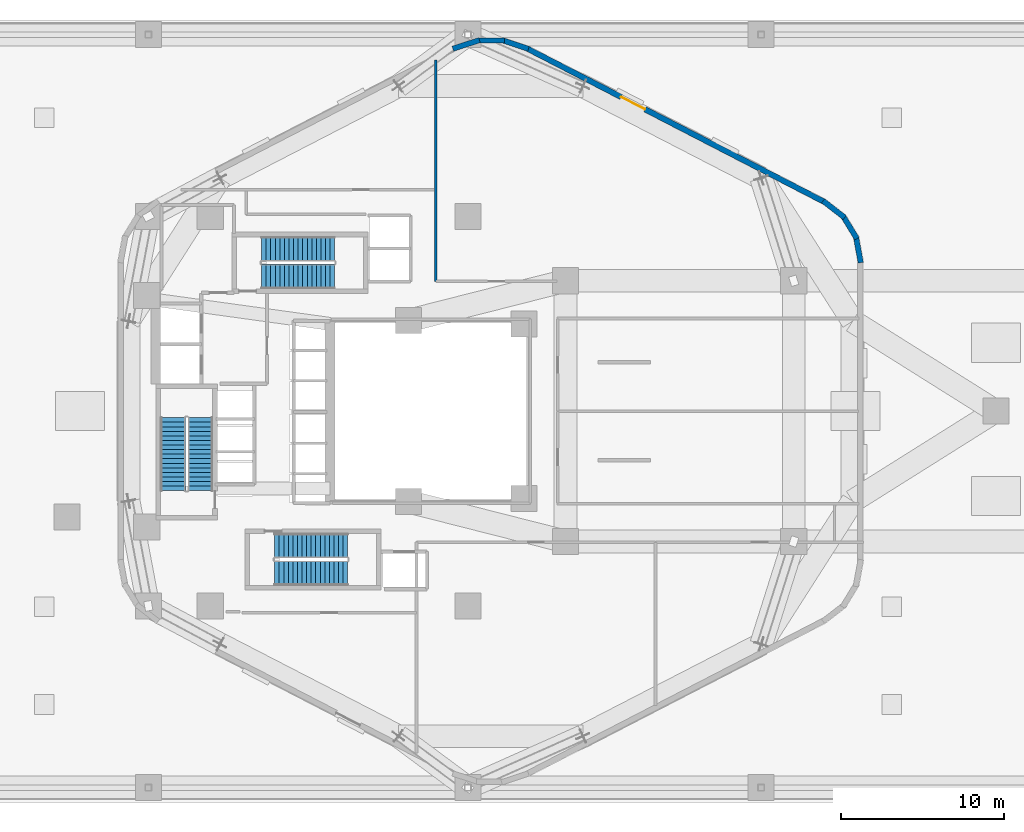
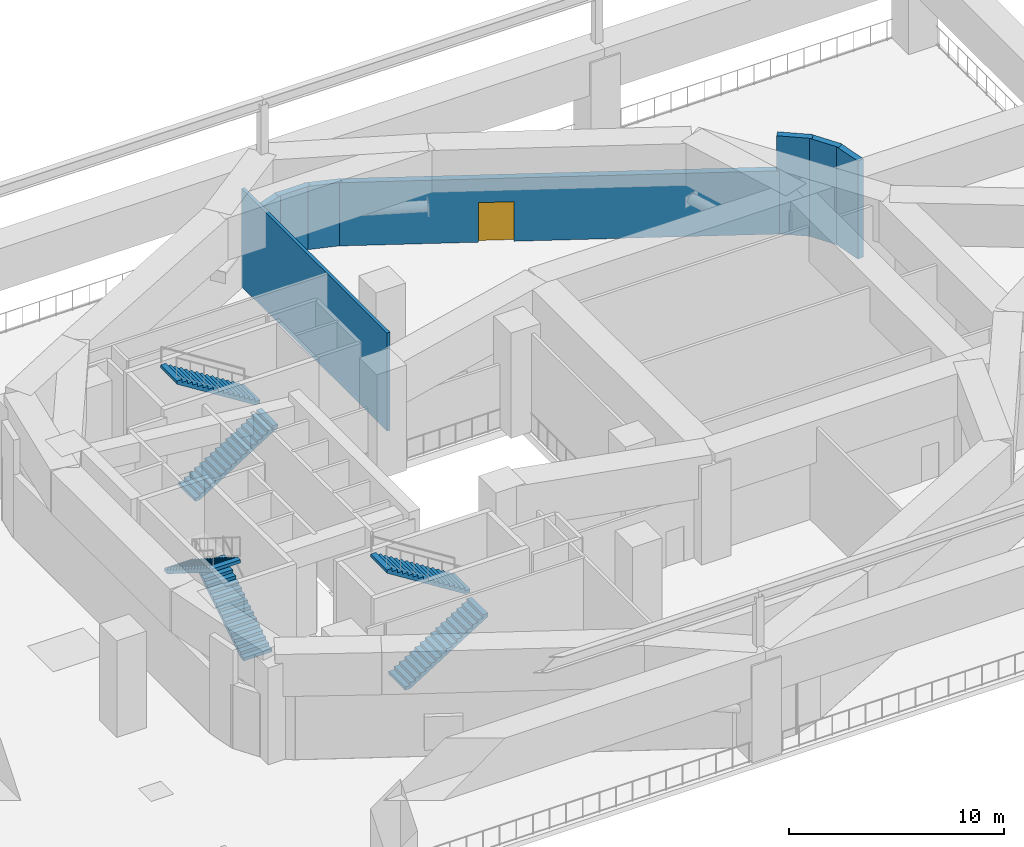
# One storey, part 11 of 15: 8 walls, 6 stair flights, 1 door, 1 opening, 3 elements without a shape of their own.
"""IFC4 building model written with IfcOpenShell, lengths in metres."""

from ifc_helpers import new_model, si_unit, direction, frame, frame_2d, origin, place, context, subcontext, project, spatial, polyline, rectangle, outline, extrude, material, layer, layer_set, type_object, element, fill, aggregate, save


model = new_model("IFC4")

# Units and contexts
model_context = context("Model", 3, precision=1e-05, world=origin(), true_north=direction((0.0, 1.0)))
body_context = subcontext(model_context, "Body", "Model", "MODEL_VIEW")
ifc_project = project(units=[si_unit("LENGTHUNIT", "METRE"), si_unit("AREAUNIT", "SQUARE_METRE"), si_unit("VOLUMEUNIT", "CUBIC_METRE"), si_unit("PLANEANGLEUNIT", "RADIAN"), si_unit("MASSUNIT", "GRAM", prefix="KILO"), si_unit("THERMODYNAMICTEMPERATUREUNIT", "KELVIN"), si_unit("POWERUNIT", "WATT")], contexts=[model_context])

# Site, building, storey
site_placement = place(None, origin())
site = spatial("IfcSite", under=ifc_project, at=site_placement, CompositionType="ELEMENT")
building_placement = place(site_placement, origin())
building = spatial("IfcBuilding", under=site, at=building_placement, Name="Skarre Station Tower", CompositionType="ELEMENT")
storey_placement = place(building_placement, frame((0.0, 0.0, 21.0)))
storey = spatial("IfcBuildingStorey", under=building, at=storey_placement, Name="L05", CompositionType="ELEMENT", Elevation=21.0)

# Wall, opening, door
ifc_material_1 = material(Name="Precast concrete C45/55", Category="concrete")
ifc_layer_1 = layer(ifc_material_1, 0.340087890625, Name="Precast concrete C45/55")
ifc_layer_set_1 = layer_set([ifc_layer_1], Name="Precast concrete C45/55")
wall_type_1 = type_object("IfcWallType", Name="Nordic Honed Precast Facet Wall 340", PredefinedType="STANDARD", material=ifc_layer_set_1)
wall_1_placement = place(storey_placement, frame((39.631103515625, 46.257080078125, 0.0), z_axis=(0.0, 0.0, 1.0), x_axis=(0.888634413993, -0.458616264721, 0.0)))
wall_1 = element("IfcWall", 1, at=wall_1_placement, inside=storey, type_object=wall_type_1, Name="L05 Facet 0 Nordic Precast Masonry Wall", PredefinedType="STANDARD", context=body_context, shape_type="SweptSolid", body=[
    extrude(rectangle(XDim=20.53125, YDim=0.340087890625, at=frame_2d((10.265625, 0.0))), origin(), (0.0, 0.0, 1.0), 3.60009765625),
])
opening_placement = place(wall_1_placement, frame((6.5, 0.0, 0.0)))
opening = element("IfcOpeningElement", 2, at=opening_placement, cuts=wall_1, Name="Opening DR-SGD165", PredefinedType="OPENING", context=body_context, shape_type="SweptSolid", body=[
    extrude(rectangle(XDim=1.64990234375, YDim=2.25, at=frame_2d((0.824951171875, 1.125))), frame((0.0, 0.179931640625, 0.0), z_axis=(0.0, -1.0, 0.0), x_axis=(1.0, 0.0, 0.0)), (0.0, 0.0, 1.0), 0.360107421875),
])
ifc_material_2 = material(Name="Thermally Broken Aluminium & Triple Glazing", Category="aluminium")
door_type = type_object("IfcDoorType", Name="Sky-Garden Double Glazed Terrace Door 1650x2250", OperationType="DOUBLE_DOOR_SINGLE_SWING", PredefinedType="DOOR", material=ifc_material_2)
door_placement = place(opening_placement, origin())
door = element("IfcDoor", 3, at=door_placement, inside=storey, type_object=door_type, Name="L05 Podium Roof Garden Terrace Access Door E", OperationType="SINGLE_SWING_LEFT", OverallHeight=2.25, OverallWidth=1.64990234375, PredefinedType="DOOR", context=body_context, shape_type="SweptSolid", body=[
    extrude(rectangle(XDim=1.64990234375, YDim=2.25, at=frame_2d((0.824951171875, 1.125))), frame((0.0, 0.02490234375, 0.0), z_axis=(0.0, -1.0, 0.0), x_axis=(1.0, 0.0, 0.0)), (0.0, 0.0, 1.0), 0.050048828125),
])
fill(opening, door)

# Walls
ifc_layer_2 = layer(ifc_material_1, 0.330078125, Name="Precast concrete C45/55")
ifc_layer_set_2 = layer_set([ifc_layer_2], Name="Precast concrete C45/55")
wall_type_2 = type_object("IfcWallType", Name="Nordic Rounded Corner Precast Wall 330", PredefinedType="STANDARD", material=ifc_layer_set_2)
wall_2_placement = place(storey_placement, frame((57.802001953125, 36.90087890625, 0.0), z_axis=(0.0, 0.0, 1.0), x_axis=(0.790691856293, -0.61221433207, 0.0)))
element("IfcWall", 4, at=wall_2_placement, inside=storey, type_object=wall_type_2, Name="L05 Rounded Corner Precast Wall F0-1", PredefinedType="STANDARD", context=body_context, shape_type="SweptSolid", body=[
    extrude(rectangle(XDim=1.67578125, YDim=0.330078125, at=frame_2d((0.837890625, 0.0))), origin(), (0.0, 0.0, 1.0), 5.580078125),
])
wall_3_placement = place(storey_placement, frame((59.001953125, 36.014892578125, 0.0), z_axis=(0.0, 0.0, 1.0), x_axis=(0.520584129191, -0.853810379671, 0.0)))
element("IfcWall", 5, at=wall_3_placement, inside=storey, type_object=wall_type_2, Name="L05 Rounded Corner Precast Wall F0-2", PredefinedType="STANDARD", context=body_context, shape_type="SweptSolid", body=[
    extrude(rectangle(XDim=1.677001953125, YDim=0.330078125, at=frame_2d((0.83837890625, 0.0))), origin(), (0.0, 0.0, 1.0), 5.580078125),
])
wall_4_placement = place(storey_placement, frame((59.80810546875, 34.758056640625, 0.0), z_axis=(0.0, 0.0, 1.0), x_axis=(0.181714143354, -0.983351397063, 0.0)))
element("IfcWall", 6, at=wall_4_placement, inside=storey, type_object=wall_type_2, Name="L05 Rounded Corner Precast Wall F0-3", PredefinedType="STANDARD", context=body_context, shape_type="SweptSolid", body=[
    extrude(rectangle(XDim=1.677978515625, YDim=0.330078125, at=frame_2d((0.8388671875, 0.0))), origin(), (0.0, 0.0, 1.0), 5.580078125),
])
wall_5_placement = place(storey_placement, frame((35.0810546875, 46.23095703125, 0.0), z_axis=(0.0, 0.0, 1.0), x_axis=(0.94976901097, 0.312951794691, 0.0)))
element("IfcWall", 7, at=wall_5_placement, inside=storey, type_object=wall_type_2, Name="L05 Rounded Corner Precast Wall F1-1", PredefinedType="STANDARD", context=body_context, shape_type="SweptSolid", body=[
    extrude(rectangle(XDim=1.722412109375, YDim=0.330078125, at=frame_2d((0.861328125, 0.0))), origin(), (0.0, 0.0, 1.0), 3.60009765625),
])
wall_6_placement = place(storey_placement, frame((36.5390625, 46.740966796875, 0.0), z_axis=(0.0, 0.0, 1.0), x_axis=(1.0, 0.0, 0.0)))
element("IfcWall", 8, at=wall_6_placement, inside=storey, type_object=wall_type_2, Name="L05 Rounded Corner Precast Wall F1-2", PredefinedType="STANDARD", context=body_context, shape_type="SweptSolid", body=[
    extrude(rectangle(XDim=1.721923828125, YDim=0.330078125, at=frame_2d((0.86083984375, 0.0))), origin(), (0.0, 0.0, 1.0), 3.60009765625),
])
wall_7_placement = place(storey_placement, frame((38.0830078125, 46.77001953125, 0.0), z_axis=(0.0, 0.0, 1.0), x_axis=(0.94976901097, -0.312951794691, 0.0)))
element("IfcWall", 9, at=wall_7_placement, inside=storey, type_object=wall_type_2, Name="L05 Rounded Corner Precast Wall F1-3", PredefinedType="STANDARD", context=body_context, shape_type="SweptSolid", body=[
    extrude(rectangle(XDim=1.722412109375, YDim=0.330078125, at=frame_2d((0.861328125, 0.0))), origin(), (0.0, 0.0, 1.0), 3.60009765625),
])
ifc_material_3 = material(Name="Acoustic Steel-Stud Gypsum Partition", Category="steel")
ifc_layer_3 = layer(ifc_material_3, 0.1650390625, Name="Acoustic Steel-Stud Gypsum Partition")
ifc_layer_set_3 = layer_set([ifc_layer_3], Name="Acoustic Steel-Stud Gypsum Partition")
wall_type_3 = type_object("IfcWallType", Name="Suite Demising Acoustic Partition 165", PredefinedType="PARTITIONING", material=ifc_layer_set_3)
wall_8_placement = place(storey_placement, frame((34.0400390625, 31.9599609375, 0.0), z_axis=(0.0, 0.0, 1.0), x_axis=(0.0, 1.0, 0.0)))
element("IfcWall", 10, at=wall_8_placement, inside=storey, type_object=wall_type_3, Name="L05 Interior Partition WL-PT-L05-PLTN-WBND", PredefinedType="PARTITIONING", context=body_context, shape_type="SweptSolid", body=[
    extrude(rectangle(XDim=13.5791015625, YDim=0.1650390625, at=frame_2d((6.78955078125, 0.0))), origin(), (0.0, 0.0, 1.0), 5.580078125),
])

# Stair, stair flights
ifc_material_4 = material(Name="Concrete C40/50", Category="concrete")
stair_type_1 = type_object("IfcStairType", Name="Reinforced Concrete Exit Stair ST-1", PredefinedType="HALF_TURN_STAIR", material=ifc_material_4)
stair_1_placement = place(storey_placement, origin())
stair_1 = element("IfcStair", 11, at=stair_1_placement, inside=storey, type_object=stair_type_1, Name="L05 Core Exit Stair ST-1", PredefinedType="HALF_TURN_STAIR")
stair_flight_type_1 = type_object("IfcStairFlightType", Name="Reinforced Concrete Stair Flight ST-1", PredefinedType="STRAIGHT", material=ifc_material_4)
stair_flight_1_placement = place(storey_placement, frame((19.590087890625, 19.1201171875, 0.0), z_axis=(0.0, 0.0, 1.0), x_axis=(0.0, 1.0, 0.0)))
stair_flight_1 = element("IfcStairFlight", 12, at=stair_flight_1_placement, type_object=stair_flight_type_1, Name="ST-1 flight 1", NumberOfRisers=17, NumberOfTreads=16, PredefinedType="STRAIGHT", RiserHeight=0.176470588, TreadLength=0.28, context=body_context, shape_type="SweptSolid", body=[
    extrude(outline(polyline([(0.0, 0.0), (0.0, 0.176513671875), (0.280029296875, 0.176513671875), (0.280029296875, 0.35302734375), (0.56005859375, 0.35302734375), (0.56005859375, 0.529296875), (0.840087890625, 0.529296875), (0.840087890625, 0.705810546875), (1.1201171875, 0.705810546875), (1.1201171875, 0.88232421875), (1.39990234375, 0.88232421875), (1.39990234375, 1.058837890625), (1.679931640625, 1.058837890625), (1.679931640625, 1.2353515625), (1.9599609375, 1.2353515625), (1.9599609375, 1.411865234375), (2.239990234375, 1.411865234375), (2.239990234375, 1.588134765625), (2.52001953125, 1.588134765625), (2.52001953125, 1.7646484375), (2.800048828125, 1.7646484375), (2.800048828125, 1.941162109375), (3.080078125, 1.941162109375), (3.080078125, 2.11767578125), (3.360107421875, 2.11767578125), (3.360107421875, 2.294189453125), (3.639892578125, 2.294189453125), (3.639892578125, 2.470703125), (3.919921875, 2.470703125), (3.919921875, 2.64697265625), (4.199951171875, 2.64697265625), (4.199951171875, 2.823486328125), (4.47998046875, 2.823486328125), (4.47998046875, 3.0), (4.47998046875, 2.646240234375), (0.28125, 0.0), (0.0, 0.0)])), frame((0.0, 0.760009765625, 0.0), z_axis=(0.0, -1.0, 0.0), x_axis=(1.0, 0.0, 0.0)), (0.0, 0.0, 1.0), 1.52001953125),
])
stair_flight_2_placement = place(storey_placement, frame((17.909912109375, 23.60009765625, 3.0), z_axis=(0.0, 0.0, 1.0), x_axis=(0.0, -1.0, 0.0)))
stair_flight_2 = element("IfcStairFlight", 13, at=stair_flight_2_placement, type_object=stair_flight_type_1, Name="ST-1 flight 2", NumberOfRisers=17, NumberOfTreads=16, PredefinedType="STRAIGHT", RiserHeight=0.176470588, TreadLength=0.28, context=body_context, shape_type="SweptSolid", body=[
    extrude(outline(polyline([(0.0, 0.0), (0.0, 0.176513671875), (0.280029296875, 0.176513671875), (0.280029296875, 0.35302734375), (0.56005859375, 0.35302734375), (0.56005859375, 0.529296875), (0.840087890625, 0.529296875), (0.840087890625, 0.705810546875), (1.1201171875, 0.705810546875), (1.1201171875, 0.88232421875), (1.39990234375, 0.88232421875), (1.39990234375, 1.058837890625), (1.679931640625, 1.058837890625), (1.679931640625, 1.2353515625), (1.9599609375, 1.2353515625), (1.9599609375, 1.411865234375), (2.239990234375, 1.411865234375), (2.239990234375, 1.588134765625), (2.52001953125, 1.588134765625), (2.52001953125, 1.7646484375), (2.800048828125, 1.7646484375), (2.800048828125, 1.941162109375), (3.080078125, 1.941162109375), (3.080078125, 2.11767578125), (3.360107421875, 2.11767578125), (3.360107421875, 2.294189453125), (3.639892578125, 2.294189453125), (3.639892578125, 2.470703125), (3.919921875, 2.470703125), (3.919921875, 2.64697265625), (4.199951171875, 2.64697265625), (4.199951171875, 2.823486328125), (4.47998046875, 2.823486328125), (4.47998046875, 3.0), (4.47998046875, 2.646240234375), (0.28125, 0.0), (0.0, 0.0)])), frame((0.0, 0.760009765625, 0.0), z_axis=(0.0, -1.0, 0.0), x_axis=(1.0, 0.0, 0.0)), (0.0, 0.0, 1.0), 1.52001953125),
])
aggregate(stair_1, [stair_flight_1, stair_flight_2])

stair_type_2 = type_object("IfcStairType", Name="Reinforced Concrete Exit Stair ST-2", PredefinedType="HALF_TURN_STAIR", material=ifc_material_4)
stair_2_placement = place(storey_placement, origin())
stair_2 = element("IfcStair", 14, at=stair_2_placement, inside=storey, type_object=stair_type_2, Name="L05 Core Exit Stair ST-2", PredefinedType="HALF_TURN_STAIR")
stair_flight_type_2 = type_object("IfcStairFlightType", Name="Reinforced Concrete Stair Flight ST-2", PredefinedType="STRAIGHT", material=ifc_material_4)
stair_flight_3_placement = place(storey_placement, frame((24.14990234375, 14.06005859375, 0.0), z_axis=(0.0, 0.0, 1.0), x_axis=(1.0, 0.0, 0.0)))
stair_flight_3 = element("IfcStairFlight", 15, at=stair_flight_3_placement, type_object=stair_flight_type_2, Name="ST-2 flight 1", NumberOfRisers=17, NumberOfTreads=16, PredefinedType="STRAIGHT", RiserHeight=0.176470588, TreadLength=0.28, context=body_context, shape_type="SweptSolid", body=[
    extrude(outline(polyline([(0.0, 0.0), (0.0, 0.176513671875), (0.280029296875, 0.176513671875), (0.280029296875, 0.35302734375), (0.56005859375, 0.35302734375), (0.56005859375, 0.529296875), (0.840087890625, 0.529296875), (0.840087890625, 0.705810546875), (1.1201171875, 0.705810546875), (1.1201171875, 0.88232421875), (1.39990234375, 0.88232421875), (1.39990234375, 1.058837890625), (1.679931640625, 1.058837890625), (1.679931640625, 1.2353515625), (1.9599609375, 1.2353515625), (1.9599609375, 1.411865234375), (2.239990234375, 1.411865234375), (2.239990234375, 1.588134765625), (2.52001953125, 1.588134765625), (2.52001953125, 1.7646484375), (2.800048828125, 1.7646484375), (2.800048828125, 1.941162109375), (3.080078125, 1.941162109375), (3.080078125, 2.11767578125), (3.360107421875, 2.11767578125), (3.360107421875, 2.294189453125), (3.639892578125, 2.294189453125), (3.639892578125, 2.470703125), (3.919921875, 2.470703125), (3.919921875, 2.64697265625), (4.199951171875, 2.64697265625), (4.199951171875, 2.823486328125), (4.47998046875, 2.823486328125), (4.47998046875, 3.0), (4.47998046875, 2.646240234375), (0.28125, 0.0), (0.0, 0.0)])), frame((0.0, 0.760009765625, 0.0), z_axis=(0.0, -1.0, 0.0), x_axis=(1.0, 0.0, 0.0)), (0.0, 0.0, 1.0), 1.52001953125),
])
stair_flight_4_placement = place(storey_placement, frame((28.6298828125, 15.739990234375, 3.0), z_axis=(0.0, 0.0, 1.0), x_axis=(-1.0, 0.0, 0.0)))
stair_flight_4 = element("IfcStairFlight", 16, at=stair_flight_4_placement, type_object=stair_flight_type_2, Name="ST-2 flight 2", NumberOfRisers=17, NumberOfTreads=16, PredefinedType="STRAIGHT", RiserHeight=0.176470588, TreadLength=0.28, context=body_context, shape_type="SweptSolid", body=[
    extrude(outline(polyline([(0.0, 0.0), (0.0, 0.176513671875), (0.280029296875, 0.176513671875), (0.280029296875, 0.35302734375), (0.56005859375, 0.35302734375), (0.56005859375, 0.529296875), (0.840087890625, 0.529296875), (0.840087890625, 0.705810546875), (1.1201171875, 0.705810546875), (1.1201171875, 0.88232421875), (1.39990234375, 0.88232421875), (1.39990234375, 1.058837890625), (1.679931640625, 1.058837890625), (1.679931640625, 1.2353515625), (1.9599609375, 1.2353515625), (1.9599609375, 1.411865234375), (2.239990234375, 1.411865234375), (2.239990234375, 1.588134765625), (2.52001953125, 1.588134765625), (2.52001953125, 1.7646484375), (2.800048828125, 1.7646484375), (2.800048828125, 1.941162109375), (3.080078125, 1.941162109375), (3.080078125, 2.11767578125), (3.360107421875, 2.11767578125), (3.360107421875, 2.294189453125), (3.639892578125, 2.294189453125), (3.639892578125, 2.470703125), (3.919921875, 2.470703125), (3.919921875, 2.64697265625), (4.199951171875, 2.64697265625), (4.199951171875, 2.823486328125), (4.47998046875, 2.823486328125), (4.47998046875, 3.0), (4.47998046875, 2.646240234375), (0.28125, 0.0), (0.0, 0.0)])), frame((0.0, 0.760009765625, 0.0), z_axis=(0.0, -1.0, 0.0), x_axis=(1.0, 0.0, 0.0)), (0.0, 0.0, 1.0), 1.52001953125),
])
aggregate(stair_2, [stair_flight_3, stair_flight_4])

stair_type_3 = type_object("IfcStairType", Name="Reinforced Concrete Exit Stair ST-3", PredefinedType="HALF_TURN_STAIR", material=ifc_material_4)
stair_3_placement = place(storey_placement, origin())
stair_3 = element("IfcStair", 17, at=stair_3_placement, inside=storey, type_object=stair_type_3, Name="L05 Core Exit Stair ST-3", PredefinedType="HALF_TURN_STAIR")
stair_flight_type_3 = type_object("IfcStairFlightType", Name="Reinforced Concrete Stair Flight ST-3", PredefinedType="STRAIGHT", material=ifc_material_4)
stair_flight_5_placement = place(storey_placement, frame((23.35009765625, 32.260009765625, 0.0), z_axis=(0.0, 0.0, 1.0), x_axis=(1.0, 0.0, 0.0)))
stair_flight_5 = element("IfcStairFlight", 18, at=stair_flight_5_placement, type_object=stair_flight_type_3, Name="ST-3 flight 1", NumberOfRisers=17, NumberOfTreads=16, PredefinedType="STRAIGHT", RiserHeight=0.176470588, TreadLength=0.28, context=body_context, shape_type="SweptSolid", body=[
    extrude(outline(polyline([(0.0, 0.0), (0.0, 0.176513671875), (0.280029296875, 0.176513671875), (0.280029296875, 0.35302734375), (0.56005859375, 0.35302734375), (0.56005859375, 0.529296875), (0.840087890625, 0.529296875), (0.840087890625, 0.705810546875), (1.1201171875, 0.705810546875), (1.1201171875, 0.88232421875), (1.39990234375, 0.88232421875), (1.39990234375, 1.058837890625), (1.679931640625, 1.058837890625), (1.679931640625, 1.2353515625), (1.9599609375, 1.2353515625), (1.9599609375, 1.411865234375), (2.239990234375, 1.411865234375), (2.239990234375, 1.588134765625), (2.52001953125, 1.588134765625), (2.52001953125, 1.7646484375), (2.800048828125, 1.7646484375), (2.800048828125, 1.941162109375), (3.080078125, 1.941162109375), (3.080078125, 2.11767578125), (3.360107421875, 2.11767578125), (3.360107421875, 2.294189453125), (3.639892578125, 2.294189453125), (3.639892578125, 2.470703125), (3.919921875, 2.470703125), (3.919921875, 2.64697265625), (4.199951171875, 2.64697265625), (4.199951171875, 2.823486328125), (4.47998046875, 2.823486328125), (4.47998046875, 3.0), (4.47998046875, 2.646240234375), (0.28125, 0.0), (0.0, 0.0)])), frame((0.0, 0.760009765625, 0.0), z_axis=(0.0, -1.0, 0.0), x_axis=(1.0, 0.0, 0.0)), (0.0, 0.0, 1.0), 1.52001953125),
])
stair_flight_6_placement = place(storey_placement, frame((27.830078125, 33.93994140625, 3.0), z_axis=(0.0, 0.0, 1.0), x_axis=(-1.0, 0.0, 0.0)))
stair_flight_6 = element("IfcStairFlight", 19, at=stair_flight_6_placement, type_object=stair_flight_type_3, Name="ST-3 flight 2", NumberOfRisers=17, NumberOfTreads=16, PredefinedType="STRAIGHT", RiserHeight=0.176470588, TreadLength=0.28, context=body_context, shape_type="SweptSolid", body=[
    extrude(outline(polyline([(0.0, 0.0), (0.0, 0.176513671875), (0.280029296875, 0.176513671875), (0.280029296875, 0.35302734375), (0.56005859375, 0.35302734375), (0.56005859375, 0.529296875), (0.840087890625, 0.529296875), (0.840087890625, 0.705810546875), (1.1201171875, 0.705810546875), (1.1201171875, 0.88232421875), (1.39990234375, 0.88232421875), (1.39990234375, 1.058837890625), (1.679931640625, 1.058837890625), (1.679931640625, 1.2353515625), (1.9599609375, 1.2353515625), (1.9599609375, 1.411865234375), (2.239990234375, 1.411865234375), (2.239990234375, 1.588134765625), (2.52001953125, 1.588134765625), (2.52001953125, 1.7646484375), (2.800048828125, 1.7646484375), (2.800048828125, 1.941162109375), (3.080078125, 1.941162109375), (3.080078125, 2.11767578125), (3.360107421875, 2.11767578125), (3.360107421875, 2.294189453125), (3.639892578125, 2.294189453125), (3.639892578125, 2.470703125), (3.919921875, 2.470703125), (3.919921875, 2.64697265625), (4.199951171875, 2.64697265625), (4.199951171875, 2.823486328125), (4.47998046875, 2.823486328125), (4.47998046875, 3.0), (4.47998046875, 2.646240234375), (0.28125, 0.0), (0.0, 0.0)])), frame((0.0, 0.760009765625, 0.0), z_axis=(0.0, -1.0, 0.0), x_axis=(1.0, 0.0, 0.0)), (0.0, 0.0, 1.0), 1.52001953125),
])
aggregate(stair_3, [stair_flight_5, stair_flight_6])

save(model, "model.ifc")
